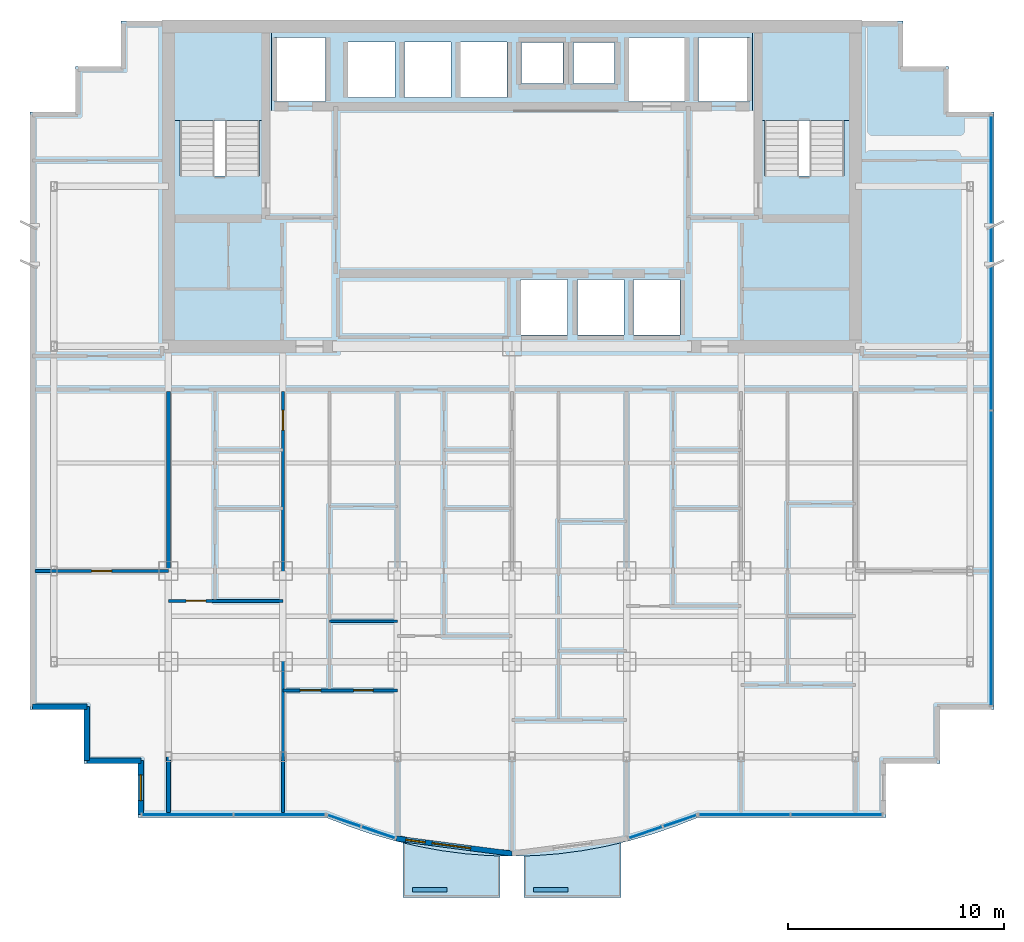
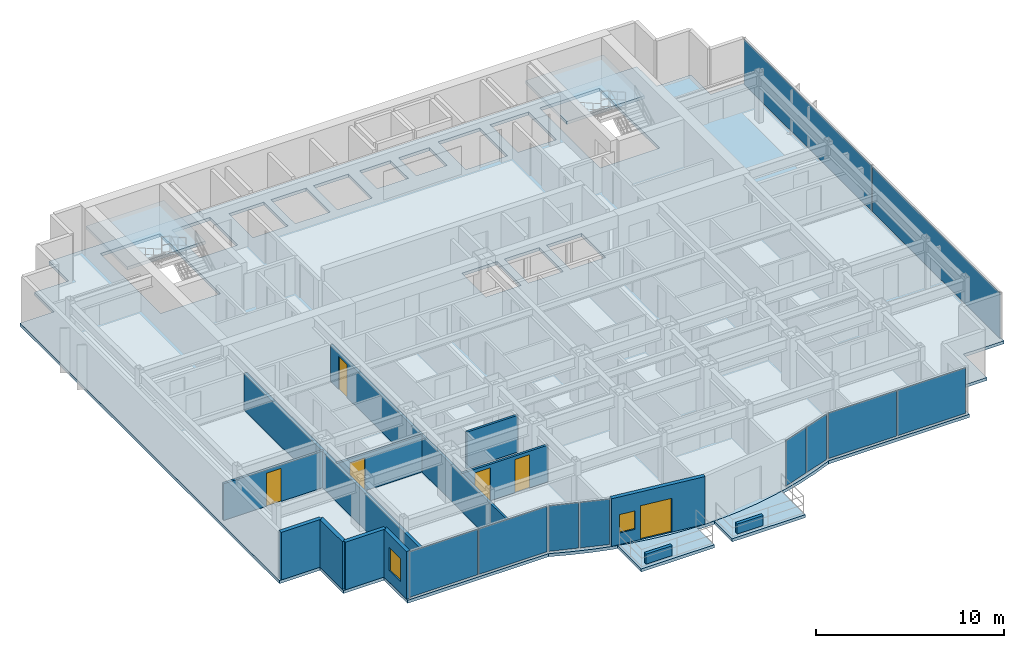
# One storey, part 7 of 13: 13 walls, 10 plates, 6 doors, 5 slabs, 2 windows, 8 openings, 7 elements without a shape of their own.
"""IFC4 building model written with IfcOpenShell, lengths in metres."""

import ifcopenshell
import ifcopenshell.guid

model = None  # the IFC model being written
_history = None  # IfcOwnerHistory: only IFC2X3 demands one
_inside = {}  # id of a spatial element -> (the spatial element, [elements in it])
_under = {}  # id of a project, library or spatial element -> (it, [spatial elements below it])
_declared = {}  # id of a project -> (the project, [libraries it declares])
_typed = {}  # id of a type object -> (the type object, [elements of that type])
_made_of = {}  # id of a material, layer set ... -> (it, [elements and type objects made of it])


def new_model(schema):
    """Start an empty IFC model of exactly this schema.

    Asked for "IFC4X3", IfcOpenShell would pick the latest addendum, in which some entities
    have other attributes; the version numbers below select the first issue.
    IFC2X3 requires an IfcOwnerHistory on every rooted entity: one is made here for all.
    """
    global model, _history
    if schema == "IFC4X3":
        model = ifcopenshell.file(schema_version=(4, 3, 0, 0))
    else:
        model = ifcopenshell.file(schema=schema)
    _inside.clear()
    _under.clear()
    _declared.clear()
    _typed.clear()
    _made_of.clear()
    _history = None
    if model.schema == "IFC2X3":
        org = make("IfcOrganization", Name="unknown")
        user = make(
            "IfcPersonAndOrganization",
            ThePerson=make("IfcPerson", FamilyName="unknown"),
            TheOrganization=org,
        )
        app = make(
            "IfcApplication",
            ApplicationDeveloper=org,
            Version="unknown",
            ApplicationFullName="unknown",
            ApplicationIdentifier="unknown",
        )
        _history = make(
            "IfcOwnerHistory",
            OwningUser=user,
            OwningApplication=app,
            ChangeAction="ADDED",
            CreationDate=0,
        )
    return model


def make(cls, **values):
    """One entity of the class cls with the attributes given. An attribute that is None is left unset."""
    return model.create_entity(
        cls, **{name: value for name, value in values.items() if value is not None}
    )


def rooted(cls, **values):
    """An entity with a GlobalId (a new one), such as an element, a storey or a relation."""
    return make(cls, GlobalId=ifcopenshell.guid.new(), OwnerHistory=_history, **values)


def si_unit(unit_type, name, prefix=None):
    """IfcSIUnit, for example si_unit("LENGTHUNIT", "METRE", prefix="MILLI")."""
    return make("IfcSIUnit", UnitType=unit_type, Prefix=prefix, Name=name)


def assignment(units):
    """IfcUnitAssignment: the units of a project."""
    return None if units is None else make("IfcUnitAssignment", Units=units)


def point(xyz):
    """IfcCartesianPoint."""
    return None if xyz is None else make("IfcCartesianPoint", Coordinates=xyz)


def direction(xyz):
    """IfcDirection."""
    return None if xyz is None else make("IfcDirection", DirectionRatios=xyz)


def frame(location, z_axis=None, x_axis=None):
    """IfcAxis2Placement3D, a coordinate frame: its origin and axes. An axis left out is left unset."""
    return make(
        "IfcAxis2Placement3D",
        Location=point(location),
        Axis=direction(z_axis),
        RefDirection=direction(x_axis),
    )


def frame_2d(location, x_axis=None):
    """IfcAxis2Placement2D, a coordinate frame in the plane: its origin and x axis."""
    return make(
        "IfcAxis2Placement2D", Location=point(location), RefDirection=direction(x_axis)
    )


def origin():
    """The frame at (0, 0, 0) with its axes left unset."""
    return frame((0.0, 0.0, 0.0))


def origin_2d():
    """The frame at (0, 0) in the plane with its x axis left unset."""
    return frame_2d((0.0, 0.0))


def place(relative_to, where):
    """IfcLocalPlacement: puts the frame where relative to a parent placement (None: the world)."""
    return make(
        "IfcLocalPlacement", PlacementRelTo=relative_to, RelativePlacement=where
    )


def context(
    kind, dimensions, precision=None, world=None, true_north=None, identifier=None
):
    """IfcGeometricRepresentationContext, for example the 3D "Model" context."""
    return make(
        "IfcGeometricRepresentationContext",
        ContextIdentifier=identifier,
        ContextType=kind,
        CoordinateSpaceDimension=dimensions,
        Precision=precision,
        WorldCoordinateSystem=world,
        TrueNorth=true_north,
    )


def subcontext(parent, identifier, kind, view, scale=None):
    """IfcGeometricRepresentationSubContext, for example "Body" below "Model"."""
    return make(
        "IfcGeometricRepresentationSubContext",
        ContextIdentifier=identifier,
        ContextType=kind,
        ParentContext=parent,
        TargetScale=scale,
        TargetView=view,
    )


def project(units=None, contexts=None):
    """IfcProject with its units and contexts."""
    return rooted(
        "IfcProject",
        Name="project",
        RepresentationContexts=contexts,
        UnitsInContext=assignment(units),
    )


def spatial(cls, under=None, at=None, **own):
    """A site, building, storey or space (cls), placed at a placement, below another one or the project."""
    s = rooted(cls, ObjectPlacement=at, **own)
    if under is not None:
        _under.setdefault(under.id(), (under, []))[1].append(s)
    return s


def polyline(points):
    """IfcPolyline through the points."""
    return make("IfcPolyline", Points=[point(p) for p in points])


def profile(cls, at=None, kind="AREA", **sizes):
    """A parametric profile (cls). Its sizes go by their IFC names, for example OverallWidth=200.0."""
    return make(cls, ProfileType=kind, Position=at, **sizes)


def rectangle(**sizes):
    """IfcRectangleProfileDef."""
    return profile("IfcRectangleProfileDef", **sizes)


def outline(outer, holes=None, kind="AREA"):
    """IfcArbitraryClosedProfileDef: a profile drawn as a closed curve; with holes, ...WithVoids."""
    if holes is None:
        return make("IfcArbitraryClosedProfileDef", ProfileType=kind, OuterCurve=outer)
    return make(
        "IfcArbitraryProfileDefWithVoids",
        ProfileType=kind,
        OuterCurve=outer,
        InnerCurves=holes,
    )


def extrude(swept, where, along, depth):
    """IfcExtrudedAreaSolid: the profile swept, set in the frame where, extruded along a direction by depth."""
    return make(
        "IfcExtrudedAreaSolid",
        SweptArea=swept,
        Position=where,
        ExtrudedDirection=direction(along),
        Depth=depth,
    )


def shape(context_of_items, identifier, shape_type, items):
    """IfcShapeRepresentation: the items that make up one representation, for example the "Body"."""
    return make(
        "IfcShapeRepresentation",
        ContextOfItems=context_of_items,
        RepresentationIdentifier=identifier,
        RepresentationType=shape_type,
        Items=items,
    )


def source(mapping_origin, context_of_items, identifier, shape_type, items):
    """IfcRepresentationMap: a shape defined once, which mapped items show again and again."""
    return make(
        "IfcRepresentationMap",
        MappingOrigin=mapping_origin,
        MappedRepresentation=shape(context_of_items, identifier, shape_type, items),
    )


def transform(
    local_origin,
    x_axis=None,
    y_axis=None,
    z_axis=None,
    scale=None,
    scale2=None,
    scale3=None,
    uniform=True,
):
    """IfcCartesianTransformationOperator3D, or its non-uniform kind. x_axis, y_axis, z_axis: its Axis1, 2, 3."""
    if uniform:
        return make(
            "IfcCartesianTransformationOperator3D",
            Axis1=direction(x_axis),
            Axis2=direction(y_axis),
            LocalOrigin=point(local_origin),
            Scale=scale,
            Axis3=direction(z_axis),
        )
    return make(
        "IfcCartesianTransformationOperator3DnonUniform",
        Axis1=direction(x_axis),
        Axis2=direction(y_axis),
        LocalOrigin=point(local_origin),
        Scale=scale,
        Axis3=direction(z_axis),
        Scale2=scale2,
        Scale3=scale3,
    )


def mapped(mapping_source, mapping_target):
    """IfcMappedItem: shows the shape of a source again, moved by a transform."""
    return make(
        "IfcMappedItem", MappingSource=mapping_source, MappingTarget=mapping_target
    )


def material(Name=None, Category=None):
    """IfcMaterial."""
    return make("IfcMaterial", Name=Name, Category=Category)


def layer(
    of_material, thickness, ventilated=None, Name=None, Category=None, Priority=None
):
    """IfcMaterialLayer: one layer of a wall or slab, of a material (None: an air gap)."""
    return make(
        "IfcMaterialLayer",
        Material=of_material,
        LayerThickness=thickness,
        IsVentilated=ventilated,
        Name=Name,
        Category=Category,
        Priority=Priority,
    )


def layer_set(layers, Name=None):
    """IfcMaterialLayerSet."""
    return make("IfcMaterialLayerSet", MaterialLayers=layers, LayerSetName=Name)


def made_of(thing, what):
    """Note that an element or type object is made of a material, layer set ...; save() writes the relation."""
    if what is not None:
        _made_of.setdefault(what.id(), (what, []))[1].append(thing)
    return thing


def type_object(cls, material=None, **own):
    """A type object (cls), such as IfcWallType, which elements share."""
    return made_of(rooted(cls, **own), material)


def element(
    cls,
    number,
    at=None,
    inside=None,
    cuts=None,
    type_object=None,
    material=None,
    context=None,
    identifier="Body",
    shape_type=None,
    held_by="IfcProductDefinitionShape",
    body=None,
    shapes=None,
    **own,
):
    """One element of the class cls, such as IfcWall. Its Tag is "e" and its number.

    at: its placement. inside: the storey or other place that contains it. cuts: it is an
    opening in that element (IfcRelVoidsElement). A single representation is given by context,
    identifier, shape_type and body (its items); several are given by shapes. held_by: the class
    of the entity that holds the representations. save() writes the other relations.
    """
    e = rooted(cls, Tag="e%d" % number, ObjectPlacement=at, **own)
    if body is not None:
        shapes = [shape(context, identifier, shape_type, body)]
    if shapes is not None:
        e.Representation = make(held_by, Representations=shapes)
    if inside is not None:
        _inside.setdefault(inside.id(), (inside, []))[1].append(e)
    if cuts is not None:
        rooted(
            "IfcRelVoidsElement", RelatingBuildingElement=cuts, RelatedOpeningElement=e
        )
    if type_object is not None:
        _typed.setdefault(type_object.id(), (type_object, []))[1].append(e)
    return made_of(e, material)


def fill(opening, filler):
    """IfcRelFillsElement: the door or window that sits in an opening."""
    return rooted(
        "IfcRelFillsElement",
        RelatingOpeningElement=opening,
        RelatedBuildingElement=filler,
    )


def aggregate(whole, parts):
    """IfcRelAggregates: a whole, such as a stair, and the parts it consists of."""
    return rooted("IfcRelAggregates", RelatingObject=whole, RelatedObjects=parts)


def save(model, path):
    """Write the relations noted so far, then the file.

    IfcRelAggregates (storeys below a building ...), IfcRelContainedInSpatialStructure (elements
    in a storey), IfcRelDefinesByType, IfcRelAssociatesMaterial and IfcRelDeclares: one each for
    every whole, place, type object, material and project.
    """
    for whole, parts in _under.values():
        aggregate(whole, parts)
    for where, things in _inside.values():
        rooted(
            "IfcRelContainedInSpatialStructure",
            RelatedElements=things,
            RelatingStructure=where,
        )
    for kind, things in _typed.values():
        rooted("IfcRelDefinesByType", RelatedObjects=things, RelatingType=kind)
    for what, things in _made_of.values():
        rooted("IfcRelAssociatesMaterial", RelatedObjects=things, RelatingMaterial=what)
    for by, libraries in _declared.values():
        rooted("IfcRelDeclares", RelatingContext=by, RelatedDefinitions=libraries)
    model.write(path)


model = new_model("IFC4")

# Units and contexts
model_context = context("Model", 3, precision=1e-05, world=origin(), true_north=direction((0.0, 1.0)))
body_context = subcontext(model_context, "Body", "Model", "MODEL_VIEW")
ifc_project = project(units=[si_unit("LENGTHUNIT", "METRE"), si_unit("AREAUNIT", "SQUARE_METRE"), si_unit("VOLUMEUNIT", "CUBIC_METRE"), si_unit("PLANEANGLEUNIT", "RADIAN"), si_unit("MASSUNIT", "GRAM", prefix="KILO")], contexts=[model_context])

# Site, building, storey
site_placement = place(None, origin())
site = spatial("IfcSite", under=ifc_project, at=site_placement, CompositionType="ELEMENT")
building_placement = place(site_placement, origin())
building = spatial("IfcBuilding", under=site, at=building_placement, Name="Qianlan Lanfeng Residences", CompositionType="ELEMENT")
storey_placement = place(building_placement, frame((0.0, 0.0, 159.0)))
storey = spatial("IfcBuildingStorey", under=building, at=storey_placement, Name="L43", CompositionType="ELEMENT", Elevation=159.0)

# Slabs
ifc_material_1 = material(Name="Concrete C42", Category="concrete")
ifc_layer_1 = layer(ifc_material_1, 0.199951171875)
ifc_layer_set_1 = layer_set([ifc_layer_1], Name="Concrete C42")
slab_type_1 = type_object("IfcSlabType", Name="S-BAL-200", PredefinedType="FLOOR", material=ifc_layer_set_1)
slab_1_placement = place(storey_placement, frame((0.0, 0.0, -0.199951171875)))
element("IfcSlab", 1, at=slab_1_placement, inside=storey, type_object=slab_type_1, Name="L43 Planted Tree Balcony Slab SB-W", PredefinedType="FLOOR", context=body_context, shape_type="SweptSolid", body=[
    extrude(outline(polyline([(25.949951171875, 1.614013671875), (25.422119140625, 1.6279296875), (24.344970703125, 1.712890625), (23.26708984375, 1.85302734375), (22.18994140625, 2.050048828125), (21.449951171875, 2.22412109375), (21.449951171875, -0.300048828125), (25.949951171875, -0.300048828125), (25.949951171875, 1.614013671875)])), origin(), (0.0, 0.0, 1.0), 0.199951171875),
])
slab_2_placement = place(storey_placement, frame((0.0, 0.0, -0.199951171875)))
element("IfcSlab", 2, at=slab_2_placement, inside=storey, type_object=slab_type_1, Name="L43 Planted Tree Balcony Slab SB-E", PredefinedType="FLOOR", context=body_context, shape_type="SweptSolid", body=[
    extrude(outline(polyline([(31.550048828125, 2.22412109375), (30.81005859375, 2.050048828125), (29.73193359375, 1.85302734375), (28.655029296875, 1.7119140625), (27.577880859375, 1.6279296875), (27.050048828125, 1.614013671875), (27.050048828125, -0.300048828125), (31.550048828125, -0.300048828125), (31.550048828125, 2.22412109375)])), origin(), (0.0, 0.0, 1.0), 0.199951171875),
])
ifc_layer_2 = layer(ifc_material_1, 0.199951171875)
ifc_layer_set_2 = layer_set([ifc_layer_2], Name="Concrete C42")
slab_type_2 = type_object("IfcSlabType", Name="S-FL-200", PredefinedType="FLOOR", material=ifc_layer_set_2)
slab_3_placement = place(storey_placement, frame((0.0, 0.0, -0.199951171875)))
element("IfcSlab", 3, at=slab_3_placement, inside=storey, type_object=slab_type_2, Name="L43 Structural Floor Slab", PredefinedType="FLOOR", context=body_context, shape_type="SweptSolid", body=[
    extrude(outline(polyline([(4.199951171875, 8.39990234375), (6.699951171875, 8.39990234375), (6.699951171875, 5.89990234375), (9.199951171875, 5.89990234375), (9.199951171875, 3.39990234375), (17.8798828125, 3.39990234375), (18.95703125, 2.97802734375), (20.034912109375, 2.612060546875), (21.112060546875, 2.302978515625), (22.18994140625, 2.050048828125), (23.26708984375, 1.85302734375), (24.344970703125, 1.712890625), (25.422119140625, 1.6279296875), (26.5, 1.60009765625), (27.577880859375, 1.6279296875), (28.655029296875, 1.7119140625), (29.73193359375, 1.85302734375), (30.81005859375, 2.050048828125), (31.886962890625, 2.302978515625), (32.965087890625, 2.612060546875), (34.0419921875, 2.97802734375), (35.1201171875, 3.39990234375), (43.800048828125, 3.39990234375), (43.800048828125, 5.89990234375), (46.300048828125, 5.89990234375), (46.300048828125, 8.39990234375), (48.800048828125, 8.39990234375), (48.800048828125, 36.050048828125), (46.699951171875, 36.050048828125), (46.699951171875, 38.14990234375), (44.60009765625, 38.14990234375), (44.60009765625, 40.25), (8.39990234375, 40.25), (8.39990234375, 38.14990234375), (6.300048828125, 38.14990234375), (6.300048828125, 36.050048828125), (4.199951171875, 36.050048828125), (4.199951171875, 8.39990234375)]), holes=[polyline([(11.139892578125, 33.080078125), (11.139892578125, 39.5), (14.820068359375, 39.5), (14.820068359375, 33.080078125), (11.139892578125, 33.080078125)]), polyline([(38.179931640625, 33.080078125), (38.179931640625, 39.5), (41.860107421875, 39.5), (41.860107421875, 33.080078125), (38.179931640625, 33.080078125)]), polyline([(15.52001953125, 36.52001953125), (15.52001953125, 39.47998046875), (17.8798828125, 39.47998046875), (17.8798828125, 36.52001953125), (15.52001953125, 36.52001953125)]), polyline([(35.1201171875, 36.52001953125), (35.1201171875, 39.47998046875), (37.47998046875, 39.47998046875), (37.47998046875, 36.52001953125), (35.1201171875, 36.52001953125)]), polyline([(31.919921875, 36.52001953125), (31.919921875, 39.47998046875), (34.47998046875, 39.47998046875), (34.47998046875, 36.52001953125), (31.919921875, 36.52001953125)]), polyline([(26.919921875, 25.719970703125), (26.919921875, 28.280029296875), (29.080078125, 28.280029296875), (29.080078125, 25.719970703125), (26.919921875, 25.719970703125)]), polyline([(29.52001953125, 25.719970703125), (29.52001953125, 28.280029296875), (31.679931640625, 28.280029296875), (31.679931640625, 25.719970703125), (29.52001953125, 25.719970703125)]), polyline([(32.1201171875, 25.719970703125), (32.1201171875, 28.280029296875), (34.280029296875, 28.280029296875), (34.280029296875, 25.719970703125), (32.1201171875, 25.719970703125)]), polyline([(18.919921875, 36.719970703125), (18.919921875, 39.280029296875), (21.080078125, 39.280029296875), (21.080078125, 36.719970703125), (18.919921875, 36.719970703125)]), polyline([(21.52001953125, 36.719970703125), (21.52001953125, 39.280029296875), (23.679931640625, 39.280029296875), (23.679931640625, 36.719970703125), (21.52001953125, 36.719970703125)]), polyline([(24.1201171875, 36.719970703125), (24.1201171875, 39.280029296875), (26.280029296875, 39.280029296875), (26.280029296875, 36.719970703125), (24.1201171875, 36.719970703125)]), polyline([(26.949951171875, 37.35009765625), (26.949951171875, 39.25), (28.85009765625, 39.25), (28.85009765625, 37.35009765625), (26.949951171875, 37.35009765625)]), polyline([(29.35009765625, 37.35009765625), (29.35009765625, 39.25), (31.25, 39.25), (31.25, 37.35009765625), (29.35009765625, 37.35009765625)])]), origin(), (0.0, 0.0, 1.0), 0.199951171875),
])

# Stair, slab
stair_type = type_object("IfcStairType", Name="STR-MAIN", PredefinedType="HALF_TURN_STAIR", material=ifc_material_1)
stair_1_placement = place(storey_placement, origin())
stair_1 = element("IfcStair", 4, at=stair_1_placement, inside=storey, type_object=stair_type, Name="L43 Exit Stair ST-1", PredefinedType="HALF_TURN_STAIR")
ifc_layer_3 = layer(ifc_material_1, 0.179931640625)
ifc_layer_set_3 = layer_set([ifc_layer_3], Name="Concrete C42")
slab_type_3 = type_object("IfcSlabType", Name="S-LND-180", PredefinedType="LANDING", material=ifc_layer_set_3)
slab_4_placement = place(storey_placement, frame((0.0, 0.0, 1.449951171875)))
slab_4 = element("IfcSlab", 5, at=slab_4_placement, type_object=slab_type_3, Name="ST-1 landing 1", PredefinedType="LANDING", context=body_context, shape_type="SweptSolid", body=[
    extrude(outline(polyline([(10.580078125, 35.659912109375), (15.3798828125, 35.659912109375), (15.3798828125, 40.050048828125), (10.580078125, 40.050048828125), (10.580078125, 35.659912109375)])), origin(), (0.0, 0.0, 1.0), 0.199951171875),
])
aggregate(stair_1, [slab_4])

stair_2_placement = place(storey_placement, origin())
stair_2 = element("IfcStair", 6, at=stair_2_placement, inside=storey, type_object=stair_type, Name="L43 Exit Stair ST-2", PredefinedType="HALF_TURN_STAIR")
slab_5_placement = place(storey_placement, frame((0.0, 0.0, 1.449951171875)))
slab_5 = element("IfcSlab", 7, at=slab_5_placement, type_object=slab_type_3, Name="ST-2 landing 1", PredefinedType="LANDING", context=body_context, shape_type="SweptSolid", body=[
    extrude(outline(polyline([(37.6201171875, 35.659912109375), (42.419921875, 35.659912109375), (42.419921875, 40.050048828125), (37.6201171875, 40.050048828125), (37.6201171875, 35.659912109375)])), origin(), (0.0, 0.0, 1.0), 0.199951171875),
])
aggregate(stair_2, [slab_5])

# Curtain wall, plates
ifc_material_2 = material(Name="Anodised Bronze Aluminium 6063-T6", Category="aluminium")
ifc_layer_4 = layer(ifc_material_2, 0.219970703125)
ifc_layer_set_4 = layer_set([ifc_layer_4], Name="Anodised Bronze Aluminium 6063-T6")
curtain_wall_type = type_object("IfcCurtainWallType", Name="CW-04", PredefinedType="NOTDEFINED", material=ifc_layer_set_4)
curtain_wall_1_placement = place(storey_placement, origin())
curtain_wall_1 = element("IfcCurtainWall", 8, at=curtain_wall_1_placement, inside=storey, type_object=curtain_wall_type, Name="L43 Unitised Curtain Wall CWR-L43-01 (CW-04)", PredefinedType="NOTDEFINED")
ifc_material_3 = material(Name="Dark Bronze Tinted Insulated Glass", Category="glass")
ifc_layer_5 = layer(ifc_material_3, 0.0380859375)
ifc_layer_set_5 = layer_set([ifc_layer_5], Name="Dark Bronze Tinted Insulated Glass")
plate_type_1 = type_object("IfcPlateType", Name="PNL-GLZ-BRZ", PredefinedType="CURTAIN_PANEL", material=ifc_layer_set_5)
shared_shape_1 = source(origin(), body_context, "Body", "SweptSolid", [
    extrude(rectangle(XDim=4.180908203125, YDim=0.0380859375, at=origin_2d()), origin(), (0.0, 0.0, 1.0), 2.951904296875),
])
plate_1_placement = place(storey_placement, frame((11.484619140625, 3.52001953125, 0.07421875), z_axis=(0.0, 0.0, 1.0), x_axis=(1.0, 0.0, 0.0)))
plate_1 = element("IfcPlate", 9, at=plate_1_placement, type_object=plate_type_1, Name="CWR-L43-01 Curtain Panel 1", PredefinedType="CURTAIN_PANEL", context=body_context, shape_type="MappedRepresentation", body=[
    mapped(shared_shape_1, transform((0.0, 0.0, 0.0), scale=1.0)),
])
plate_2_placement = place(storey_placement, frame((15.738525390625, 3.52001953125, 0.07421875), z_axis=(0.0, 0.0, 1.0), x_axis=(1.0, 0.0, 0.0)))
plate_2 = element("IfcPlate", 10, at=plate_2_placement, type_object=plate_type_1, Name="CWR-L43-01 Curtain Panel 2", PredefinedType="CURTAIN_PANEL", context=body_context, shape_type="MappedRepresentation", body=[
    mapped(shared_shape_1, transform((0.0, 0.0, 0.0), scale=1.0)),
])
aggregate(curtain_wall_1, [plate_1, plate_2])

# Curtain wall, plate
curtain_wall_2_placement = place(storey_placement, origin())
curtain_wall_2 = element("IfcCurtainWall", 11, at=curtain_wall_2_placement, inside=storey, type_object=curtain_wall_type, Name="L43 Unitised Curtain Wall CWR-L43-04 (CW-04)", PredefinedType="NOTDEFINED")
plate_3_placement = place(storey_placement, frame((37.261474609375, 3.52001953125, 0.07421875), z_axis=(0.0, 0.0, 1.0), x_axis=(1.0, 0.0, 0.0)))
plate_3 = element("IfcPlate", 12, at=plate_3_placement, type_object=plate_type_1, Name="CWR-L43-04 Curtain Panel 1", PredefinedType="CURTAIN_PANEL", context=body_context, shape_type="MappedRepresentation", body=[
    mapped(shared_shape_1, transform((0.0, 0.0, 0.0), scale=1.0)),
])

# Curtain wall, plates
curtain_wall_3_placement = place(storey_placement, origin())
curtain_wall_3 = element("IfcCurtainWall", 13, at=curtain_wall_3_placement, inside=storey, type_object=curtain_wall_type, Name="L43 Unitised Curtain Wall CWR-L43-02 (CW-04)", PredefinedType="NOTDEFINED")
shared_shape_2 = source(origin(), body_context, "Body", "SweptSolid", [
    extrude(rectangle(XDim=1.60009765625, YDim=0.0380859375, at=origin_2d()), origin(), (0.0, 0.0, 1.0), 2.951904296875),
])
plate_4_placement = place(storey_placement, frame((18.73046875, 3.23876953125, 0.07421875), z_axis=(0.0, 0.0, 1.0), x_axis=(0.946795963885, -0.321834433787, 0.0)))
plate_4 = element("IfcPlate", 14, at=plate_4_placement, type_object=plate_type_1, Name="CWR-L43-02 Curtain Panel 1", PredefinedType="CURTAIN_PANEL", context=body_context, shape_type="MappedRepresentation", body=[
    mapped(shared_shape_2, transform((0.0, 0.0, 0.0), scale=1.0)),
])
ifc_material_4 = material(Name="Perforated Anodised Bronze Aluminium Panel", Category="aluminium")
ifc_layer_6 = layer(ifc_material_4, 0.0419921875)
ifc_layer_set_6 = layer_set([ifc_layer_6], Name="Perforated Anodised Bronze Aluminium Panel")
plate_type_2 = type_object("IfcPlateType", Name="PNL-PRF-BRZ", PredefinedType="CURTAIN_PANEL", material=ifc_layer_set_6)
shared_shape_3 = source(origin(), body_context, "Body", "SweptSolid", [
    extrude(rectangle(XDim=1.60009765625, YDim=0.0419921875, at=origin_2d()), origin(), (0.0, 0.0, 1.0), 2.951904296875),
])
plate_5_placement = place(storey_placement, frame((20.314453125, 2.7001953125, 0.07421875), z_axis=(0.0, 0.0, 1.0), x_axis=(0.946795963885, -0.321834433787, 0.0)))
plate_5 = element("IfcPlate", 15, at=plate_5_placement, type_object=plate_type_2, Name="CWR-L43-02 Curtain Panel 2", PredefinedType="CURTAIN_PANEL", context=body_context, shape_type="MappedRepresentation", body=[
    mapped(shared_shape_3, transform((0.0, 0.0, 0.0), scale=1.0)),
])
aggregate(curtain_wall_3, [plate_4, plate_5])

curtain_wall_4_placement = place(storey_placement, origin())
curtain_wall_4 = element("IfcCurtainWall", 16, at=curtain_wall_4_placement, inside=storey, type_object=curtain_wall_type, Name="L43 Unitised Curtain Wall CWR-L43-03 (CW-04)", PredefinedType="NOTDEFINED")
shared_shape_4 = source(origin(), body_context, "Body", "SweptSolid", [
    extrude(rectangle(XDim=1.6005859375, YDim=0.0380859375, at=origin_2d()), origin(), (0.0, 0.0, 1.0), 2.951904296875),
])
plate_6_placement = place(storey_placement, frame((32.684814453125, 2.7001953125, 0.07421875), z_axis=(0.0, 0.0, 1.0), x_axis=(0.946826291861, 0.32174519894, 0.0)))
plate_6 = element("IfcPlate", 17, at=plate_6_placement, type_object=plate_type_1, Name="CWR-L43-03 Curtain Panel 1", PredefinedType="CURTAIN_PANEL", context=body_context, shape_type="MappedRepresentation", body=[
    mapped(shared_shape_4, transform((0.0, 0.0, 0.0), scale=1.0)),
])
plate_7_placement = place(storey_placement, frame((34.269287109375, 3.23876953125, 0.07421875), z_axis=(0.0, 0.0, 1.0), x_axis=(0.946826291861, 0.32174519894, 0.0)))
plate_7 = element("IfcPlate", 18, at=plate_7_placement, type_object=plate_type_1, Name="CWR-L43-03 Curtain Panel 2", PredefinedType="CURTAIN_PANEL", context=body_context, shape_type="MappedRepresentation", body=[
    mapped(shared_shape_4, transform((0.0, 0.0, 0.0), scale=1.0)),
])
aggregate(curtain_wall_4, [plate_6, plate_7])

# Plate
shared_shape_5 = source(origin(), body_context, "Body", "SweptSolid", [
    extrude(rectangle(XDim=4.180908203125, YDim=0.0419921875, at=origin_2d()), origin(), (0.0, 0.0, 1.0), 2.951904296875),
])
plate_8_placement = place(storey_placement, frame((41.515380859375, 3.52001953125, 0.07421875), z_axis=(0.0, 0.0, 1.0), x_axis=(1.0, 0.0, 0.0)))
plate_8 = element("IfcPlate", 19, at=plate_8_placement, type_object=plate_type_2, Name="CWR-L43-04 Curtain Panel 2", PredefinedType="CURTAIN_PANEL", context=body_context, shape_type="MappedRepresentation", body=[
    mapped(shared_shape_5, transform((0.0, 0.0, 0.0), scale=1.0)),
])

aggregate(curtain_wall_2, [plate_3, plate_8])

# Curtain wall, plates
curtain_wall_5_placement = place(storey_placement, origin())
curtain_wall_5 = element("IfcCurtainWall", 20, at=curtain_wall_5_placement, inside=storey, type_object=curtain_wall_type, Name="L43 Unitised Curtain Wall CWR-L43-05 (CW-04)", PredefinedType="NOTDEFINED")
shared_shape_6 = source(origin(), body_context, "Body", "SweptSolid", [
    extrude(rectangle(XDim=13.594482421875, YDim=0.0380859375, at=origin_2d()), origin(), (0.0, 0.0, 1.0), 2.951904296875),
])
plate_9_placement = place(storey_placement, frame((48.679931640625, 15.39111328125, 0.07421875), z_axis=(0.0, 0.0, 1.0), x_axis=(0.0, 1.0, 0.0)))
plate_9 = element("IfcPlate", 21, at=plate_9_placement, type_object=plate_type_1, Name="CWR-L43-05 Curtain Panel 1", PredefinedType="CURTAIN_PANEL", context=body_context, shape_type="MappedRepresentation", body=[
    mapped(shared_shape_6, transform((0.0, 0.0, 0.0), scale=1.0)),
])
plate_10_placement = place(storey_placement, frame((48.679931640625, 29.05859375, 0.07421875), z_axis=(0.0, 0.0, 1.0), x_axis=(0.0, 1.0, 0.0)))
plate_10 = element("IfcPlate", 22, at=plate_10_placement, type_object=plate_type_1, Name="CWR-L43-05 Curtain Panel 2", PredefinedType="CURTAIN_PANEL", context=body_context, shape_type="MappedRepresentation", body=[
    mapped(shared_shape_6, transform((0.0, 0.0, 0.0), scale=1.0)),
])
aggregate(curtain_wall_5, [plate_9, plate_10])

# Walls
ifc_layer_7 = layer(ifc_material_1, 0.239990234375)
ifc_layer_set_7 = layer_set([ifc_layer_7], Name="Concrete C42")
wall_type_1 = type_object("IfcWallType", Name="EW-240", PredefinedType="SOLIDWALL", material=ifc_layer_set_7)
for number, where, z_axis, x_axis, name in (
    (23, (4.320068359375, 8.52001953125, 0.0), (0.0, 0.0, 1.0), (1.0, 0.0, 0.0), "L43 Exterior Facade Spandrel Wall 1"),
    (24, (6.820068359375, 8.52001953125, 0.0), (0.0, 0.0, 1.0), (0.0, -1.0, 0.0), "L43 Exterior Facade Spandrel Wall 2"),
    (25, (6.820068359375, 6.02001953125, 0.0), (0.0, 0.0, 1.0), (1.0, 0.0, 0.0), "L43 Exterior Facade Spandrel Wall 3"),
):
    element("IfcWall", number, at=place(storey_placement, frame(where, z_axis=z_axis, x_axis=x_axis)), inside=storey, type_object=wall_type_1, Name=name, PredefinedType="SOLIDWALL", context=body_context, shape_type="SweptSolid", body=[
        extrude(rectangle(XDim=2.5, YDim=0.239990234375, at=frame_2d((1.25, 0.0))), origin(), (0.0, 0.0, 1.0), 3.10009765625),
    ])

# Wall, opening, window
wall_1_placement = place(storey_placement, frame((9.320068359375, 6.02001953125, 0.0), z_axis=(0.0, 0.0, 1.0), x_axis=(0.0, -1.0, 0.0)))
wall_1 = element("IfcWall", 26, at=wall_1_placement, inside=storey, type_object=wall_type_1, Name="L43 Exterior Facade Spandrel Wall 4", PredefinedType="SOLIDWALL", context=body_context, shape_type="SweptSolid", body=[
    extrude(rectangle(XDim=2.5, YDim=0.239990234375, at=frame_2d((1.25, 0.0))), origin(), (0.0, 0.0, 1.0), 3.10009765625),
])
opening_1_placement = place(wall_1_placement, frame((0.64990234375, 0.0, 0.75)))
opening_1 = element("IfcOpeningElement", 27, at=opening_1_placement, cuts=wall_1, Name="Opening W-03", PredefinedType="OPENING", context=body_context, shape_type="SweptSolid", body=[
    extrude(rectangle(XDim=1.199951171875, YDim=1.5, at=frame_2d((0.60009765625, 0.75))), frame((0.0, 0.1298828125, 0.0), z_axis=(0.0, -1.0, 0.0), x_axis=(1.0, 0.0, 0.0)), (0.0, 0.0, 1.0), 0.260009765625),
])
ifc_material_5 = material(Name="Anodised Bronze Aluminium Framed Double Glazing", Category="aluminium")
window_type_1 = type_object("IfcWindowType", Name="W-03", PartitioningType="SINGLE_PANEL", PredefinedType="WINDOW", material=ifc_material_5)
window_1_placement = place(opening_1_placement, origin())
window_1 = element("IfcWindow", 28, at=window_1_placement, inside=storey, type_object=window_type_1, Name="L43 Facade Punched Window W-03", OverallHeight=1.5, OverallWidth=1.199951171875, PartitioningType="SINGLE_PANEL", PredefinedType="WINDOW", context=body_context, shape_type="SweptSolid", body=[
    extrude(rectangle(XDim=1.199951171875, YDim=1.5, at=frame_2d((0.60009765625, 0.75))), frame((0.0, 0.030029296875, 0.0), z_axis=(0.0, -1.0, 0.0), x_axis=(1.0, 0.0, 0.0)), (0.0, 0.0, 1.0), 0.06005859375),
])
fill(opening_1, window_1)

# Wall, openings, door, window
wall_2_placement = place(storey_placement, frame((21.14208984375, 2.4189453125, 0.0), z_axis=(0.0, 0.0, 1.0), x_axis=(0.991597639478, -0.129360432053, 0.0)))
wall_2 = element("IfcWall", 29, at=wall_2_placement, inside=storey, type_object=wall_type_1, Name="L43 Terrace/Balcony Access Exterior Wall 5", PredefinedType="SOLIDWALL", context=body_context, shape_type="SweptSolid", body=[
    extrude(rectangle(XDim=5.4033203125, YDim=0.239990234375, at=frame_2d((2.70166015625, 0.0))), origin(), (0.0, 0.0, 1.0), 3.10009765625),
])
opening_2_placement = place(wall_2_placement, frame((1.672119140625, 0.0, 0.0)))
opening_2 = element("IfcOpeningElement", 30, at=opening_2_placement, cuts=wall_2, Name="Opening L43-D-SB-W", PredefinedType="OPENING", context=body_context, shape_type="SweptSolid", body=[
    extrude(rectangle(XDim=1.800048828125, YDim=2.199951171875, at=frame_2d((0.89990234375, 1.10009765625))), frame((0.0, 0.1298828125, 0.0), z_axis=(0.0, -1.0, 0.0), x_axis=(1.0, 0.0, 0.0)), (0.0, 0.0, 1.0), 0.260009765625),
])
opening_3_placement = place(wall_2_placement, frame((0.449951171875, 0.0, 0.75)))
opening_3 = element("IfcOpeningElement", 31, at=opening_3_placement, cuts=wall_2, Name="Opening W-04", PredefinedType="OPENING", context=body_context, shape_type="SweptSolid", body=[
    extrude(rectangle(XDim=0.89990234375, YDim=1.199951171875, at=frame_2d((0.449951171875, 0.60009765625))), frame((0.0, 0.1298828125, 0.0), z_axis=(0.0, -1.0, 0.0), x_axis=(1.0, 0.0, 0.0)), (0.0, 0.0, 1.0), 0.260009765625),
])
ifc_material_6 = material(Name="Anodised Bronze Aluminium Framed Glass", Category="aluminium")
door_type_1 = type_object("IfcDoorType", Name="DT-BAL1", OperationType="NOTDEFINED", PredefinedType="DOOR", material=ifc_material_6)
door_1_placement = place(opening_2_placement, frame((1.800048828125, 0.0, 0.0), z_axis=(0.0, 0.0, 1.0), x_axis=(-1.0, 0.0, 0.0)))
door_1 = element("IfcDoor", 32, at=door_1_placement, inside=storey, type_object=door_type_1, Name="L43 Exterior Access Door SB-W", OperationType="DOUBLE_DOOR_SLIDING", OverallHeight=2.199951171875, OverallWidth=1.800048828125, PredefinedType="DOOR", context=body_context, shape_type="SweptSolid", body=[
    extrude(rectangle(XDim=1.800048828125, YDim=2.199951171875, at=frame_2d((0.89990234375, 1.10009765625))), frame((0.0, 0.02490234375, 0.0), z_axis=(0.0, -1.0, 0.0), x_axis=(1.0, 0.0, 0.0)), (0.0, 0.0, 1.0), 0.050048828125),
])
fill(opening_2, door_1)
window_type_2 = type_object("IfcWindowType", Name="W-04", PartitioningType="SINGLE_PANEL", PredefinedType="WINDOW", material=ifc_material_5)
window_2_placement = place(opening_3_placement, origin())
window_2 = element("IfcWindow", 33, at=window_2_placement, inside=storey, type_object=window_type_2, Name="L43 Exterior Window W-04", OverallHeight=1.199951171875, OverallWidth=0.89990234375, PartitioningType="SINGLE_PANEL", PredefinedType="WINDOW", context=body_context, shape_type="SweptSolid", body=[
    extrude(rectangle(XDim=0.89990234375, YDim=1.199951171875, at=frame_2d((0.449951171875, 0.60009765625))), frame((0.0, 0.030029296875, 0.0), z_axis=(0.0, -1.0, 0.0), x_axis=(1.0, 0.0, 0.0)), (0.0, 0.0, 1.0), 0.06005859375),
])
fill(opening_3, window_2)

# Walls
ifc_layer_8 = layer(ifc_material_1, 0.199951171875)
ifc_layer_set_8 = layer_set([ifc_layer_8], Name="Concrete C42")
wall_type_2 = type_object("IfcWallType", Name="PL-TREE-200", PredefinedType="PARAPET", material=ifc_layer_set_8)
for number, where, z_axis, x_axis, name in (
    (34, (21.89990234375, 0.050048828125, 0.0), (0.0, 0.0, 1.0), (1.0, 0.0, 0.0), "L43 Balcony Tree Planter Curb SB-W"),
    (35, (27.5, 0.050048828125, 0.0), (0.0, 0.0, 1.0), (1.0, 0.0, 0.0), "L43 Balcony Tree Planter Curb SB-E"),
):
    element("IfcWall", number, at=place(storey_placement, frame(where, z_axis=z_axis, x_axis=x_axis)), inside=storey, type_object=wall_type_2, Name=name, PredefinedType="PARAPET", context=body_context, shape_type="SweptSolid", body=[
        extrude(rectangle(XDim=1.60009765625, YDim=0.199951171875, at=frame_2d((0.800048828125, 0.0))), origin(), (0.0, 0.0, 1.0), 0.64990234375),
    ])

# Wall, opening, door
ifc_material_7 = material(Name="Moisture-Resistant Gypsum Partition 135 mm")
ifc_layer_9 = layer(ifc_material_7, 0.135009765625)
ifc_layer_set_9 = layer_set([ifc_layer_9], Name="Moisture-Resistant Gypsum Partition 135 mm")
wall_type_3 = type_object("IfcWallType", Name="PW-135", PredefinedType="PARTITIONING", material=ifc_layer_set_9)
wall_3_placement = place(storey_placement, frame((15.89990234375, 3.6201171875, 0.0), z_axis=(0.0, 0.0, 1.0), x_axis=(0.0, 1.0, 0.0)))
wall_3 = element("IfcWall", 36, at=wall_3_placement, inside=storey, type_object=wall_type_3, Name="L43 U01 Bay Spine Wall 1", PredefinedType="PARTITIONING", context=body_context, shape_type="SweptSolid", body=[
    extrude(rectangle(XDim=19.47998046875, YDim=0.135009765625, at=frame_2d((9.739990234375, 0.0))), origin(), (0.0, 0.0, 1.0), 2.3798828125),
])
opening_4_placement = place(wall_3_placement, frame((17.695068359375, 0.0, 0.0)))
opening_4 = element("IfcOpeningElement", 37, at=opening_4_placement, cuts=wall_3, Name="Opening L43-D18", PredefinedType="OPENING", context=body_context, shape_type="SweptSolid", body=[
    extrude(rectangle(XDim=0.919921875, YDim=2.14990234375, at=frame_2d((0.4599609375, 1.074951171875))), frame((0.0, 0.07763671875, 0.0), z_axis=(0.0, -1.0, 0.0), x_axis=(1.0, 0.0, 0.0)), (0.0, 0.0, 1.0), 0.155029296875),
])
ifc_material_8 = material(Name="Glazed Timber Kitchen/Study Door", Category="wood")
door_type_2 = type_object("IfcDoorType", Name="DT-INT", OperationType="NOTDEFINED", PredefinedType="DOOR", material=ifc_material_8)
door_2_placement = place(opening_4_placement, origin())
door_2 = element("IfcDoor", 38, at=door_2_placement, inside=storey, type_object=door_type_2, Name="L43 U01 Internal Hall Door L43-D18 (DT-INT)", OperationType="SINGLE_SWING_LEFT", OverallHeight=2.14990234375, OverallWidth=0.919921875, PredefinedType="DOOR", context=body_context, shape_type="SweptSolid", body=[
    extrude(rectangle(XDim=0.919921875, YDim=2.14990234375, at=frame_2d((0.4599609375, 1.074951171875))), frame((0.0, 0.02490234375, 0.0), z_axis=(0.0, -1.0, 0.0), x_axis=(1.0, 0.0, 0.0)), (0.0, 0.0, 1.0), 0.050048828125),
])
fill(opening_4, door_2)

wall_4_placement = place(storey_placement, frame((10.60009765625, 13.419921875, 0.0), z_axis=(0.0, 0.0, 1.0), x_axis=(1.0, 0.0, 0.0)))
wall_4 = element("IfcWall", 39, at=wall_4_placement, inside=storey, type_object=wall_type_3, Name="L43 U01 Living Divider", PredefinedType="PARTITIONING", context=body_context, shape_type="SweptSolid", body=[
    extrude(rectangle(XDim=5.2998046875, YDim=0.135009765625, at=frame_2d((2.64990234375, 0.0))), origin(), (0.0, 0.0, 1.0), 2.3798828125),
])
opening_5_placement = place(wall_4_placement, frame((0.81494140625, 0.0, 0.0)))
opening_5 = element("IfcOpeningElement", 40, at=opening_5_placement, cuts=wall_4, Name="Opening L43-D19", PredefinedType="OPENING", context=body_context, shape_type="SweptSolid", body=[
    extrude(rectangle(XDim=0.919921875, YDim=2.14990234375, at=frame_2d((0.4599609375, 1.074951171875))), frame((0.0, 0.07763671875, 0.0), z_axis=(0.0, -1.0, 0.0), x_axis=(1.0, 0.0, 0.0)), (0.0, 0.0, 1.0), 0.155029296875),
])
door_3_placement = place(opening_5_placement, origin())
door_3 = element("IfcDoor", 41, at=door_3_placement, inside=storey, type_object=door_type_2, Name="L43 U01 Living Passage Door L43-D19 (DT-INT)", OperationType="SINGLE_SWING_LEFT", OverallHeight=2.14990234375, OverallWidth=0.919921875, PredefinedType="DOOR", context=body_context, shape_type="SweptSolid", body=[
    extrude(rectangle(XDim=0.919921875, YDim=2.14990234375, at=frame_2d((0.4599609375, 1.074951171875))), frame((0.0, 0.02490234375, 0.0), z_axis=(0.0, -1.0, 0.0), x_axis=(1.0, 0.0, 0.0)), (0.0, 0.0, 1.0), 0.050048828125),
])
fill(opening_5, door_3)

# Wall, openings, doors
wall_5_placement = place(storey_placement, frame((15.89990234375, 9.27392578125, 0.0), z_axis=(0.0, 0.0, 1.0), x_axis=(1.0, 0.0, 0.0)))
wall_5 = element("IfcWall", 42, at=wall_5_placement, inside=storey, type_object=wall_type_3, Name="L43 U01 Master Bedroom North Wall", PredefinedType="PARTITIONING", context=body_context, shape_type="SweptSolid", body=[
    extrude(rectangle(XDim=5.300048828125, YDim=0.135009765625, at=frame_2d((2.64990234375, 0.0))), origin(), (0.0, 0.0, 1.0), 2.3798828125),
])
opening_6_placement = place(wall_5_placement, frame((0.800048828125, 0.0, 0.0)))
opening_6 = element("IfcOpeningElement", 43, at=opening_6_placement, cuts=wall_5, Name="Opening L43-D23", PredefinedType="OPENING", context=body_context, shape_type="SweptSolid", body=[
    extrude(rectangle(XDim=0.949951171875, YDim=2.14990234375, at=frame_2d((0.47509765625, 1.074951171875))), frame((0.0, 0.07763671875, 0.0), z_axis=(0.0, -1.0, 0.0), x_axis=(1.0, 0.0, 0.0)), (0.0, 0.0, 1.0), 0.155029296875),
])
opening_7_placement = place(wall_5_placement, frame((3.27490234375, 0.0, 0.0)))
opening_7 = element("IfcOpeningElement", 44, at=opening_7_placement, cuts=wall_5, Name="Opening L43-D24", PredefinedType="OPENING", context=body_context, shape_type="SweptSolid", body=[
    extrude(rectangle(XDim=0.89990234375, YDim=2.14990234375, at=frame_2d((0.449951171875, 1.074951171875))), frame((0.0, 0.07763671875, 0.0), z_axis=(0.0, -1.0, 0.0), x_axis=(1.0, 0.0, 0.0)), (0.0, 0.0, 1.0), 0.155029296875),
])
ifc_material_9 = material(Name="Painted Solid-Core Timber Leaf", Category="wood")
door_type_3 = type_object("IfcDoorType", Name="DT-BED", OperationType="NOTDEFINED", PredefinedType="DOOR", material=ifc_material_9)
door_4_placement = place(opening_6_placement, origin())
door_4 = element("IfcDoor", 45, at=door_4_placement, inside=storey, type_object=door_type_3, Name="L43 U01 Master Bedroom Door L43-D23 (DT-BED)", OperationType="SINGLE_SWING_LEFT", OverallHeight=2.14990234375, OverallWidth=0.949951171875, PredefinedType="DOOR", context=body_context, shape_type="SweptSolid", body=[
    extrude(rectangle(XDim=0.949951171875, YDim=2.14990234375, at=frame_2d((0.47509765625, 1.074951171875))), frame((0.0, 0.02490234375, 0.0), z_axis=(0.0, -1.0, 0.0), x_axis=(1.0, 0.0, 0.0)), (0.0, 0.0, 1.0), 0.050048828125),
])
fill(opening_6, door_4)
ifc_material_10 = material(Name="Moisture-Resistant Timber Leaf", Category="wood")
door_type_4 = type_object("IfcDoorType", Name="DT-WC", OperationType="NOTDEFINED", PredefinedType="DOOR", material=ifc_material_10)
door_5_placement = place(opening_7_placement, origin())
door_5 = element("IfcDoor", 46, at=door_5_placement, inside=storey, type_object=door_type_4, Name="L43 U01 En-Suite Bathroom Door L43-D24 (DT-WC)", OperationType="SINGLE_SWING_LEFT", OverallHeight=2.14990234375, OverallWidth=0.89990234375, PredefinedType="DOOR", context=body_context, shape_type="SweptSolid", body=[
    extrude(rectangle(XDim=0.89990234375, YDim=2.14990234375, at=frame_2d((0.449951171875, 1.074951171875))), frame((0.0, 0.02490234375, 0.0), z_axis=(0.0, -1.0, 0.0), x_axis=(1.0, 0.0, 0.0)), (0.0, 0.0, 1.0), 0.050048828125),
])
fill(opening_7, door_5)

# Wall
wall_6_placement = place(storey_placement, frame((18.050048828125, 12.47412109375, 0.0), z_axis=(0.0, 0.0, 1.0), x_axis=(1.0, 0.0, 0.0)))
element("IfcWall", 47, at=wall_6_placement, inside=storey, type_object=wall_type_3, Name="L43 U01 En-Suite North Wall", PredefinedType="PARTITIONING", context=body_context, shape_type="SweptSolid", body=[
    extrude(rectangle(XDim=3.14990234375, YDim=0.135009765625, at=frame_2d((1.574951171875, 0.0))), origin(), (0.0, 0.0, 1.0), 2.3798828125),
])

# Wall, opening, door
wall_7_placement = place(storey_placement, frame((4.419921875, 14.800048828125, 0.0), z_axis=(0.0, 0.0, 1.0), x_axis=(1.0, 0.0, 0.0)))
wall_7 = element("IfcWall", 48, at=wall_7_placement, inside=storey, type_object=wall_type_3, Name="L43 SWP Mid Partition", PredefinedType="PARTITIONING", context=body_context, shape_type="SweptSolid", body=[
    extrude(rectangle(XDim=6.18017578125, YDim=0.135009765625, at=frame_2d((3.090087890625, 0.0))), origin(), (0.0, 0.0, 1.0), 2.3798828125),
])
opening_8_placement = place(wall_7_placement, frame((2.6298828125, 0.0, 0.0)))
opening_8 = element("IfcOpeningElement", 49, at=opening_8_placement, cuts=wall_7, Name="Opening L43-D47", PredefinedType="OPENING", context=body_context, shape_type="SweptSolid", body=[
    extrude(rectangle(XDim=0.919921875, YDim=2.14990234375, at=frame_2d((0.4599609375, 1.074951171875))), frame((0.0, 0.07763671875, 0.0), z_axis=(0.0, -1.0, 0.0), x_axis=(1.0, 0.0, 0.0)), (0.0, 0.0, 1.0), 0.155029296875),
])
door_6_placement = place(opening_8_placement, origin())
door_6 = element("IfcDoor", 50, at=door_6_placement, inside=storey, type_object=door_type_2, Name="L43 SWP Inner Door L43-D47 (DT-INT)", OperationType="SINGLE_SWING_RIGHT", OverallHeight=2.14990234375, OverallWidth=0.919921875, PredefinedType="DOOR", context=body_context, shape_type="SweptSolid", body=[
    extrude(rectangle(XDim=0.919921875, YDim=2.14990234375, at=frame_2d((0.4599609375, 1.074951171875))), frame((0.0, 0.02490234375, 0.0), z_axis=(0.0, -1.0, 0.0), x_axis=(1.0, 0.0, 0.0)), (0.0, 0.0, 1.0), 0.050048828125),
])
fill(opening_8, door_6)

# Wall
ifc_material_11 = material(Name="Double-Layer Acoustic Gypsum Stud Wall 180 mm")
ifc_layer_10 = layer(ifc_material_11, 0.179931640625)
ifc_layer_set_10 = layer_set([ifc_layer_10], Name="Double-Layer Acoustic Gypsum Stud Wall 180 mm")
wall_type_4 = type_object("IfcWallType", Name="PW-180", PredefinedType="PARTITIONING", material=ifc_layer_set_10)
wall_8_placement = place(storey_placement, frame((10.60009765625, 3.6201171875, 0.0), z_axis=(0.0, 0.0, 1.0), x_axis=(0.0, 1.0, 0.0)))
element("IfcWall", 51, at=wall_8_placement, inside=storey, type_object=wall_type_4, Name="L43 Wing Boundary Party Wall W0", PredefinedType="PARTITIONING", context=body_context, shape_type="SweptSolid", body=[
    extrude(rectangle(XDim=19.47998046875, YDim=0.179931640625, at=frame_2d((9.739990234375, 0.0))), origin(), (0.0, 0.0, 1.0), 2.3798828125),
])

save(model, "model.ifc")
